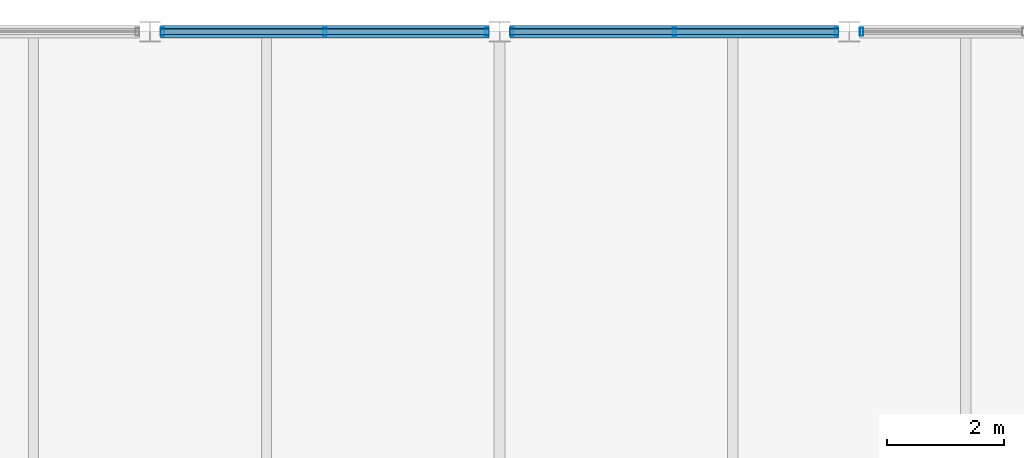
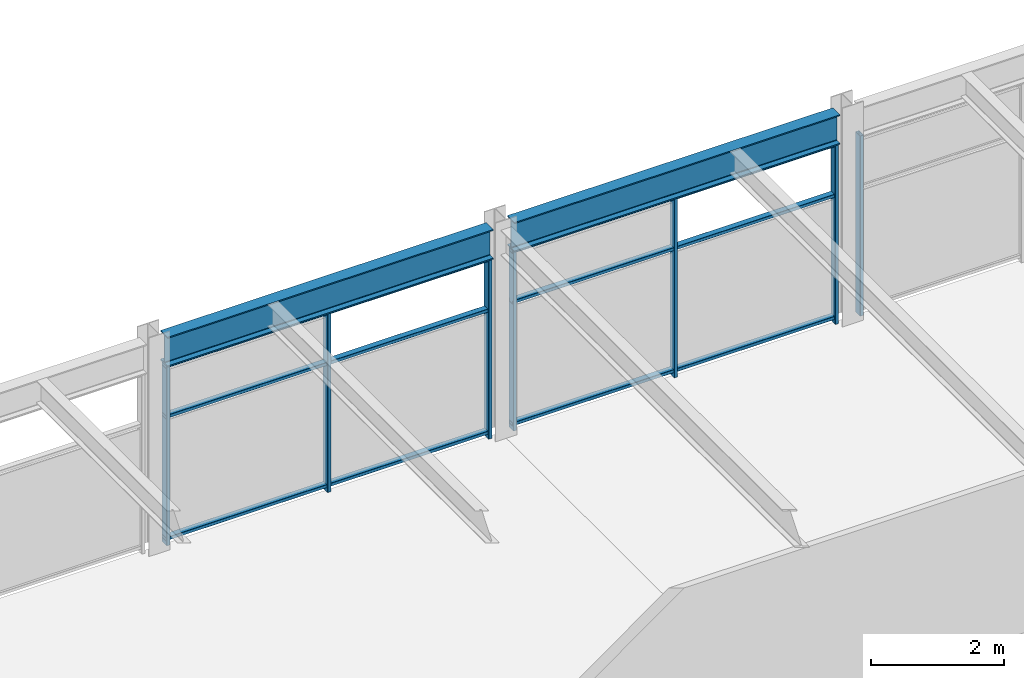
# One storey, part 21 of 32: 13 members, 2 beams, 3 elements without a shape of their own.
"""IFC4 building model written with IfcOpenShell, lengths in metres."""

from ifc_helpers import new_model, si_unit, direction, frame, origin, origin_2d, place, context, subcontext, project, spatial, hollow_rectangle, i_section, extrude, material, material_profile, profile_set, type_object, element, aggregate, save


model = new_model("IFC4")

# Units and contexts
model_context = context("Model", 3, precision=1e-05, world=origin(), true_north=direction((0.0, 1.0)))
body_context = subcontext(model_context, "Body", "Model", "MODEL_VIEW")
ifc_project = project(units=[si_unit("LENGTHUNIT", "METRE"), si_unit("AREAUNIT", "SQUARE_METRE"), si_unit("VOLUMEUNIT", "CUBIC_METRE"), si_unit("PLANEANGLEUNIT", "RADIAN"), si_unit("MASSUNIT", "GRAM", prefix="KILO")], contexts=[model_context])

# Site, building, storey
site_placement = place(None, origin())
site = spatial("IfcSite", under=ifc_project, at=site_placement, CompositionType="ELEMENT")
building_placement = place(site_placement, origin())
building = spatial("IfcBuilding", under=site, at=building_placement, Name="Girod Span Mobility Hub", CompositionType="ELEMENT")
storey_placement = place(building_placement, frame((0.0, 0.0, 61.60009765625)))
storey = spatial("IfcBuildingStorey", under=building, at=storey_placement, Name="L15", CompositionType="ELEMENT", Elevation=61.60009765625)

# Beams
ifc_material_1 = material(Name="Steel A992 Grade 50", Category="steel")
ifc_material_profile_1 = material_profile(ifc_material_1, i_section(OverallWidth=0.2119140625, OverallDepth=0.5439453125, WebThickness=0.01318359375, FlangeThickness=0.021240234375, FilletRadius=0.014892578125, at=origin_2d()), Name="W21X83")
ifc_profile_set_1 = profile_set([ifc_material_profile_1], Name="Steel A992 Grade 50")
beam_type = type_object("IfcBeamType", Name="BM-STL-W21X83", PredefinedType="SPANDREL", material=ifc_profile_set_1)
for number, where, z_axis, x_axis, name in (
    (1, (90.181396484375, 69.0, 3.56787109375), (1.0, 0.0, 0.0), (0.0, 1.0, 0.0), "Spandrel Beam 8-9/F-E L15"),
    (2, (96.181396484375, 69.0, 3.56787109375), (1.0, 0.0, 0.0), (0.0, 1.0, 0.0), "Spandrel Beam 9-10/F-W L15"),
):
    element("IfcBeam", number, at=place(storey_placement, frame(where, z_axis=z_axis, x_axis=x_axis)), inside=storey, type_object=beam_type, Name=name, PredefinedType="SPANDREL", context=body_context, shape_type="SweptSolid", body=[
        extrude(i_section(OverallWidth=0.2119140625, OverallDepth=0.5439453125, WebThickness=0.01318359375, FlangeThickness=0.021240234375, FilletRadius=0.014892578125, at=origin_2d()), origin(), (0.0, 0.0, 1.0), 5.63720703125),
    ])

# Curtain wall, members
ifc_material_2 = material(Name="Thermally Broken Anodised Aluminium", Category="aluminium")
curtain_wall_type = type_object("IfcCurtainWallType", Name="CW-564X330", PredefinedType="USERDEFINED", material=ifc_material_2)
curtain_wall_1_placement = place(storey_placement, origin())
curtain_wall_1 = element("IfcCurtainWall", 3, at=curtain_wall_1_placement, inside=storey, type_object=curtain_wall_type, Name="Unitised Curtain Wall CW-L15-N08E L15", ObjectType="UNITISED CURTAIN WALL", PredefinedType="USERDEFINED")
ifc_material_3 = material(Name="Thermally Broken Anodised Aluminium", Category="aluminium")
ifc_material_profile_2 = material_profile(ifc_material_3, hollow_rectangle(XDim=0.139892578125, YDim=0.06005859375, WallThickness=0.00341796875, InnerFilletRadius=0.00341796875, OuterFilletRadius=0.007080078125, at=origin_2d()), Name="CW-ML-60X140")
ifc_profile_set_2 = profile_set([ifc_material_profile_2], Name="Thermally Broken Anodised Aluminium")
member_type_1 = type_object("IfcMemberType", Name="CWM-ML-4", PredefinedType="MULLION", material=ifc_profile_set_2)
member_1_placement = place(storey_placement, frame((90.214599609375, 69.0, 0.0), z_axis=(0.0, 0.0, 1.0), x_axis=(0.0, 1.0, 0.0)))
member_1 = element("IfcMember", 4, at=member_1_placement, type_object=member_type_1, Name="Curtain Wall Mullion CW-L15-N08E-M0", PredefinedType="MULLION", context=body_context, shape_type="SweptSolid", body=[
    extrude(hollow_rectangle(XDim=0.139892578125, YDim=0.06005859375, WallThickness=0.00341796875, InnerFilletRadius=0.00341796875, OuterFilletRadius=0.007080078125, at=origin_2d()), origin(), (0.0, 0.0, 1.0), 3.2958984375),
])
member_2_placement = place(storey_placement, frame((93.0, 69.0, 0.0), z_axis=(0.0, 0.0, 1.0), x_axis=(0.0, 1.0, 0.0)))
member_2 = element("IfcMember", 5, at=member_2_placement, type_object=member_type_1, Name="Curtain Wall Mullion CW-L15-N08E-M1", PredefinedType="MULLION", context=body_context, shape_type="SweptSolid", body=[
    extrude(hollow_rectangle(XDim=0.139892578125, YDim=0.06005859375, WallThickness=0.00341796875, InnerFilletRadius=0.00341796875, OuterFilletRadius=0.007080078125, at=origin_2d()), origin(), (0.0, 0.0, 1.0), 3.2958984375),
])
member_3_placement = place(storey_placement, frame((95.785400390625, 69.0, 0.0), z_axis=(0.0, 0.0, 1.0), x_axis=(0.0, 1.0, 0.0)))
member_3 = element("IfcMember", 6, at=member_3_placement, type_object=member_type_1, Name="Curtain Wall Mullion CW-L15-N08E-M2", PredefinedType="MULLION", context=body_context, shape_type="SweptSolid", body=[
    extrude(hollow_rectangle(XDim=0.139892578125, YDim=0.06005859375, WallThickness=0.00341796875, InnerFilletRadius=0.00341796875, OuterFilletRadius=0.007080078125, at=origin_2d()), origin(), (0.0, 0.0, 1.0), 3.2958984375),
])

curtain_wall_2_placement = place(storey_placement, origin())
curtain_wall_2 = element("IfcCurtainWall", 7, at=curtain_wall_2_placement, inside=storey, type_object=curtain_wall_type, Name="Unitised Curtain Wall CW-L15-N09W L15", ObjectType="UNITISED CURTAIN WALL", PredefinedType="USERDEFINED")
member_4_placement = place(storey_placement, frame((96.214599609375, 69.0, 0.0), z_axis=(0.0, 0.0, 1.0), x_axis=(0.0, 1.0, 0.0)))
member_4 = element("IfcMember", 8, at=member_4_placement, type_object=member_type_1, Name="Curtain Wall Mullion CW-L15-N09W-M0", PredefinedType="MULLION", context=body_context, shape_type="SweptSolid", body=[
    extrude(hollow_rectangle(XDim=0.139892578125, YDim=0.06005859375, WallThickness=0.00341796875, InnerFilletRadius=0.00341796875, OuterFilletRadius=0.007080078125, at=origin_2d()), origin(), (0.0, 0.0, 1.0), 3.2958984375),
])
member_5_placement = place(storey_placement, frame((99.0, 69.0, 0.0), z_axis=(0.0, 0.0, 1.0), x_axis=(0.0, 1.0, 0.0)))
member_5 = element("IfcMember", 9, at=member_5_placement, type_object=member_type_1, Name="Curtain Wall Mullion CW-L15-N09W-M1", PredefinedType="MULLION", context=body_context, shape_type="SweptSolid", body=[
    extrude(hollow_rectangle(XDim=0.139892578125, YDim=0.06005859375, WallThickness=0.00341796875, InnerFilletRadius=0.00341796875, OuterFilletRadius=0.007080078125, at=origin_2d()), origin(), (0.0, 0.0, 1.0), 3.2958984375),
])
member_6_placement = place(storey_placement, frame((101.785400390625, 69.0, 0.0), z_axis=(0.0, 0.0, 1.0), x_axis=(0.0, 1.0, 0.0)))
member_6 = element("IfcMember", 10, at=member_6_placement, type_object=member_type_1, Name="Curtain Wall Mullion CW-L15-N09W-M2", PredefinedType="MULLION", context=body_context, shape_type="SweptSolid", body=[
    extrude(hollow_rectangle(XDim=0.139892578125, YDim=0.06005859375, WallThickness=0.00341796875, InnerFilletRadius=0.00341796875, OuterFilletRadius=0.007080078125, at=origin_2d()), origin(), (0.0, 0.0, 1.0), 3.2958984375),
])

# Curtain wall, member
curtain_wall_3_placement = place(storey_placement, origin())
curtain_wall_3 = element("IfcCurtainWall", 11, at=curtain_wall_3_placement, inside=storey, type_object=curtain_wall_type, Name="Unitised Curtain Wall CW-L15-N09E L15", ObjectType="UNITISED CURTAIN WALL", PredefinedType="USERDEFINED")
member_7_placement = place(storey_placement, frame((102.214599609375, 69.0, 0.0), z_axis=(0.0, 0.0, 1.0), x_axis=(0.0, 1.0, 0.0)))
member_7 = element("IfcMember", 12, at=member_7_placement, type_object=member_type_1, Name="Curtain Wall Mullion CW-L15-N09E-M0", PredefinedType="MULLION", context=body_context, shape_type="SweptSolid", body=[
    extrude(hollow_rectangle(XDim=0.139892578125, YDim=0.06005859375, WallThickness=0.00341796875, InnerFilletRadius=0.00341796875, OuterFilletRadius=0.007080078125, at=origin_2d()), origin(), (0.0, 0.0, 1.0), 3.2958984375),
])
aggregate(curtain_wall_3, [member_7])

# Member
ifc_material_4 = material(Name="Thermally Broken Anodised Aluminium", Category="aluminium")
ifc_material_profile_3 = material_profile(ifc_material_4, hollow_rectangle(XDim=0.10498046875, YDim=0.06005859375, WallThickness=0.00341796875, InnerFilletRadius=0.00341796875, OuterFilletRadius=0.007080078125, at=origin_2d()), Name="CW-TR-60X105")
ifc_profile_set_3 = profile_set([ifc_material_profile_3], Name="Thermally Broken Anodised Aluminium")
member_type_2 = type_object("IfcMemberType", Name="CWM-TR-4", PredefinedType="USERDEFINED", material=ifc_profile_set_3)
member_8_placement = place(storey_placement, frame((90.1826171875, 69.0, 0.10986328125), z_axis=(1.0, 0.0, 0.0), x_axis=(0.0, 1.0, 0.0)))
member_8 = element("IfcMember", 13, at=member_8_placement, type_object=member_type_2, Name="Curtain Wall Transom CW-L15-N08E-T1", ObjectType="TRANSOM", PredefinedType="USERDEFINED", context=body_context, shape_type="SweptSolid", body=[
    extrude(hollow_rectangle(XDim=0.10498046875, YDim=0.06005859375, WallThickness=0.00341796875, InnerFilletRadius=0.00341796875, OuterFilletRadius=0.007080078125, at=origin_2d()), origin(), (0.0, 0.0, 1.0), 5.634765625),
])

member_9_placement = place(storey_placement, frame((90.1826171875, 69.0, 2.343017578125), z_axis=(1.0, 0.0, 0.0), x_axis=(0.0, 1.0, 0.0)))
member_9 = element("IfcMember", 14, at=member_9_placement, type_object=member_type_2, Name="Curtain Wall Transom CW-L15-N08E-T2", ObjectType="TRANSOM", PredefinedType="USERDEFINED", context=body_context, shape_type="SweptSolid", body=[
    extrude(hollow_rectangle(XDim=0.10498046875, YDim=0.06005859375, WallThickness=0.00341796875, InnerFilletRadius=0.00341796875, OuterFilletRadius=0.007080078125, at=origin_2d()), origin(), (0.0, 0.0, 1.0), 5.634765625),
])

member_10_placement = place(storey_placement, frame((90.1826171875, 69.0, 3.265869140625), z_axis=(1.0, 0.0, 0.0), x_axis=(0.0, 1.0, 0.0)))
member_10 = element("IfcMember", 15, at=member_10_placement, type_object=member_type_2, Name="Curtain Wall Transom CW-L15-N08E-T3", ObjectType="TRANSOM", PredefinedType="USERDEFINED", context=body_context, shape_type="SweptSolid", body=[
    extrude(hollow_rectangle(XDim=0.10498046875, YDim=0.06005859375, WallThickness=0.00341796875, InnerFilletRadius=0.00341796875, OuterFilletRadius=0.007080078125, at=origin_2d()), origin(), (0.0, 0.0, 1.0), 5.634765625),
])

aggregate(curtain_wall_1, [member_1, member_2, member_3, member_8, member_9, member_10])

member_11_placement = place(storey_placement, frame((96.1826171875, 69.0, 0.10986328125), z_axis=(1.0, 0.0, 0.0), x_axis=(0.0, 1.0, 0.0)))
member_11 = element("IfcMember", 16, at=member_11_placement, type_object=member_type_2, Name="Curtain Wall Transom CW-L15-N09W-T1", ObjectType="TRANSOM", PredefinedType="USERDEFINED", context=body_context, shape_type="SweptSolid", body=[
    extrude(hollow_rectangle(XDim=0.10498046875, YDim=0.06005859375, WallThickness=0.00341796875, InnerFilletRadius=0.00341796875, OuterFilletRadius=0.007080078125, at=origin_2d()), origin(), (0.0, 0.0, 1.0), 5.634765625),
])

member_12_placement = place(storey_placement, frame((96.1826171875, 69.0, 2.343017578125), z_axis=(1.0, 0.0, 0.0), x_axis=(0.0, 1.0, 0.0)))
member_12 = element("IfcMember", 17, at=member_12_placement, type_object=member_type_2, Name="Curtain Wall Transom CW-L15-N09W-T2", ObjectType="TRANSOM", PredefinedType="USERDEFINED", context=body_context, shape_type="SweptSolid", body=[
    extrude(hollow_rectangle(XDim=0.10498046875, YDim=0.06005859375, WallThickness=0.00341796875, InnerFilletRadius=0.00341796875, OuterFilletRadius=0.007080078125, at=origin_2d()), origin(), (0.0, 0.0, 1.0), 5.634765625),
])

member_13_placement = place(storey_placement, frame((96.1826171875, 69.0, 3.265869140625), z_axis=(1.0, 0.0, 0.0), x_axis=(0.0, 1.0, 0.0)))
member_13 = element("IfcMember", 18, at=member_13_placement, type_object=member_type_2, Name="Curtain Wall Transom CW-L15-N09W-T3", ObjectType="TRANSOM", PredefinedType="USERDEFINED", context=body_context, shape_type="SweptSolid", body=[
    extrude(hollow_rectangle(XDim=0.10498046875, YDim=0.06005859375, WallThickness=0.00341796875, InnerFilletRadius=0.00341796875, OuterFilletRadius=0.007080078125, at=origin_2d()), origin(), (0.0, 0.0, 1.0), 5.634765625),
])

aggregate(curtain_wall_2, [member_4, member_5, member_6, member_11, member_12, member_13])

save(model, "model.ifc")
